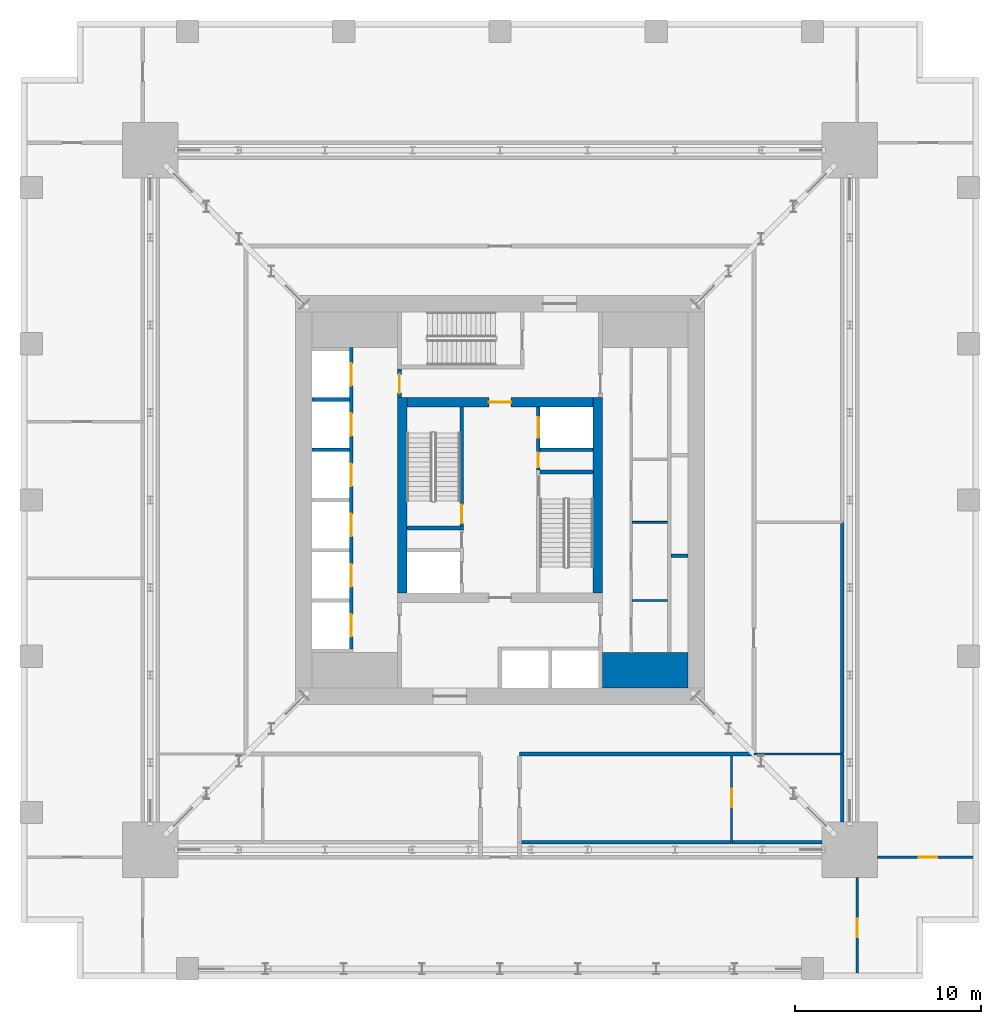
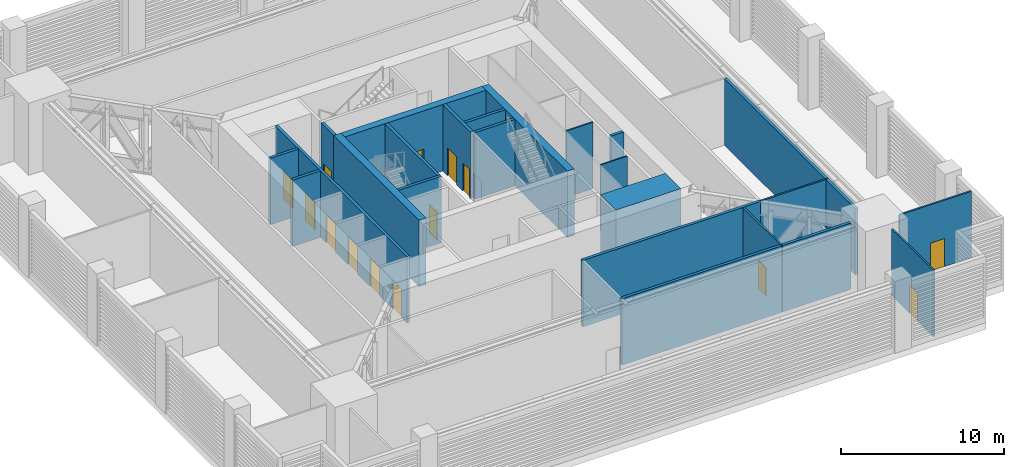
# One storey, part 10 of 17: 25 walls, 14 doors, 14 openings.
"""IFC4 building model written with IfcOpenShell, lengths in metres."""

from ifc_helpers import new_model, si_unit, direction, frame, frame_2d, origin, place, context, subcontext, project, spatial, rectangle, extrude, material, layer, layer_set, type_object, element, fill, save


model = new_model("IFC4")

# Units and contexts
model_context = context("Model", 3, precision=1e-05, world=origin(), true_north=direction((0.0, 1.0)))
body_context = subcontext(model_context, "Body", "Model", "MODEL_VIEW")
ifc_project = project(units=[si_unit("LENGTHUNIT", "METRE"), si_unit("AREAUNIT", "SQUARE_METRE"), si_unit("VOLUMEUNIT", "CUBIC_METRE"), si_unit("PLANEANGLEUNIT", "RADIAN"), si_unit("MASSUNIT", "GRAM", prefix="KILO")], contexts=[model_context])

# Site, building, storey
site_placement = place(None, origin())
site = spatial("IfcSite", under=ifc_project, at=site_placement, CompositionType="ELEMENT")
building_placement = place(site_placement, origin())
building = spatial("IfcBuilding", under=site, at=building_placement, Name="Khepri Terraces", CompositionType="ELEMENT")
storey_placement = place(building_placement, frame((0.0, 0.0, 73.800048828125)))
storey = spatial("IfcBuildingStorey", under=building, at=storey_placement, Name="L17", CompositionType="ELEMENT", Elevation=73.800048828125)

# Walls
ifc_material_1 = material(Name="Concrete C80/95", Category="concrete")
ifc_layer_1 = layer(ifc_material_1, 1.89990234375, Name="Concrete C80/95", Category="concrete")
ifc_layer_set_1 = layer_set([ifc_layer_1], Name="Concrete C80/95")
wall_type_1 = type_object("IfcWallType", Name="Core wall 1900 C80/95", PredefinedType="SHEAR", material=ifc_layer_set_1)
wall_1_placement = place(storey_placement, frame((5.5, -9.14990234375, 0.0), z_axis=(0.0, 0.0, 1.0), x_axis=(1.0, 0.0, 0.0)))
element("IfcWall", 1, at=wall_1_placement, inside=storey, type_object=wall_type_1, Name="Core wall PR02 L17", PredefinedType="SHEAR", context=body_context, shape_type="SweptSolid", body=[
    extrude(rectangle(XDim=4.60009765625, YDim=1.89990234375, at=frame_2d((2.300048828125, 0.0))), origin(), (0.0, 0.0, 1.0), 4.97998046875),
])
ifc_layer_2 = layer(ifc_material_1, 0.199951171875, Name="Concrete C80/95", Category="concrete")
ifc_layer_set_2 = layer_set([ifc_layer_2], Name="Concrete C80/95")
wall_type_2 = type_object("IfcWallType", Name="Core wall 200 C80/95", PredefinedType="SHEAR", material=ifc_layer_set_2)
wall_2_placement = place(storey_placement, frame((-5.0, -1.5, 0.0), z_axis=(0.0, 0.0, 1.0), x_axis=(1.0, 0.0, 0.0)))
element("IfcWall", 2, at=wall_2_placement, inside=storey, type_object=wall_type_2, Name="Core wall ST02 L17", PredefinedType="SHEAR", context=body_context, shape_type="SweptSolid", body=[
    extrude(rectangle(XDim=3.050048828125, YDim=0.199951171875, at=frame_2d((1.52490234375, 0.0))), origin(), (0.0, 0.0, 1.0), 4.97998046875),
])

# Wall, opening, door
wall_3_placement = place(storey_placement, frame((-2.050048828125, -1.39990234375, 0.0), z_axis=(0.0, 0.0, 1.0), x_axis=(0.0, 1.0, 0.0)))
wall_3 = element("IfcWall", 3, at=wall_3_placement, inside=storey, type_object=wall_type_2, Name="Core wall ST03 L17", PredefinedType="SHEAR", context=body_context, shape_type="SweptSolid", body=[
    extrude(rectangle(XDim=6.39990234375, YDim=0.199951171875, at=frame_2d((3.199951171875, 0.0))), origin(), (0.0, 0.0, 1.0), 4.97998046875),
])
opening_1_placement = place(wall_3_placement, frame((0.14990234375, 0.0, 0.0)))
opening_1 = element("IfcOpeningElement", 4, at=opening_1_placement, cuts=wall_3, Name="Opening L17-C09", PredefinedType="OPENING", context=body_context, shape_type="SweptSolid", body=[
    extrude(rectangle(XDim=1.0, YDim=2.10009765625, at=frame_2d((0.5, 1.050048828125))), frame((0.0, 0.10986328125, 0.0), z_axis=(0.0, -1.0, 0.0), x_axis=(1.0, 0.0, 0.0)), (0.0, 0.0, 1.0), 0.219970703125),
])
ifc_material_2 = material(Name="Painted steel", Category="steel")
door_type_1 = type_object("IfcDoorType", Name="DR-CORE-STAIR-1000", OperationType="NOTDEFINED", PredefinedType="DOOR", material=ifc_material_2)
door_1_placement = place(opening_1_placement, origin())
door_1 = element("IfcDoor", 5, at=door_1_placement, inside=storey, type_object=door_type_1, Name="Stair door L17-C09", OperationType="SINGLE_SWING_LEFT", OverallHeight=2.10009765625, OverallWidth=1.0, PredefinedType="DOOR", context=body_context, shape_type="SweptSolid", body=[
    extrude(rectangle(XDim=1.0, YDim=2.10009765625, at=frame_2d((0.5, 1.050048828125))), frame((0.0, 0.02490234375, 0.0), z_axis=(0.0, -1.0, 0.0), x_axis=(1.0, 0.0, 0.0)), (0.0, 0.0, 1.0), 0.050048828125),
])
fill(opening_1, door_1)

# Wall
wall_4_placement = place(storey_placement, frame((2.14990234375, 1.5, 0.0), z_axis=(0.0, 0.0, 1.0), x_axis=(1.0, 0.0, 0.0)))
element("IfcWall", 6, at=wall_4_placement, inside=storey, type_object=wall_type_2, Name="Core wall ST04 L17", PredefinedType="SHEAR", context=body_context, shape_type="SweptSolid", body=[
    extrude(rectangle(XDim=2.85009765625, YDim=0.199951171875, at=frame_2d((1.425048828125, 0.0))), origin(), (0.0, 0.0, 1.0), 4.97998046875),
])

# Wall, openings, doors
wall_5_placement = place(storey_placement, frame((-8.0, -8.0, 0.0), z_axis=(0.0, 0.0, 1.0), x_axis=(0.0, 1.0, 0.0)))
wall_5 = element("IfcWall", 7, at=wall_5_placement, inside=storey, type_object=wall_type_2, Name="Core wall SH08 L17", PredefinedType="SHEAR", context=body_context, shape_type="SweptSolid", body=[
    extrude(rectangle(XDim=16.199951171875, YDim=0.199951171875, at=frame_2d((8.10009765625, 0.0))), origin(), (0.0, 0.0, 1.0), 4.97998046875),
])
opening_2_placement = place(wall_5_placement, frame((0.64990234375, 0.0, 0.0)))
opening_2 = element("IfcOpeningElement", 8, at=opening_2_placement, cuts=wall_5, Name="Opening L17-C01", PredefinedType="OPENING", context=body_context, shape_type="SweptSolid", body=[
    extrude(rectangle(XDim=1.199951171875, YDim=2.10009765625, at=frame_2d((0.60009765625, 1.050048828125))), frame((0.0, 0.10986328125, 0.0), z_axis=(0.0, -1.0, 0.0), x_axis=(1.0, 0.0, 0.0)), (0.0, 0.0, 1.0), 0.219970703125),
])
opening_3_placement = place(wall_5_placement, frame((3.35009765625, 0.0, 0.0)))
opening_3 = element("IfcOpeningElement", 9, at=opening_3_placement, cuts=wall_5, Name="Opening L17-C02", PredefinedType="OPENING", context=body_context, shape_type="SweptSolid", body=[
    extrude(rectangle(XDim=1.199951171875, YDim=2.10009765625, at=frame_2d((0.60009765625, 1.050048828125))), frame((0.0, 0.10986328125, 0.0), z_axis=(0.0, -1.0, 0.0), x_axis=(1.0, 0.0, 0.0)), (0.0, 0.0, 1.0), 0.219970703125),
])
opening_4_placement = place(wall_5_placement, frame((6.050048828125, 0.0, 0.0)))
opening_4 = element("IfcOpeningElement", 10, at=opening_4_placement, cuts=wall_5, Name="Opening L17-C03", PredefinedType="OPENING", context=body_context, shape_type="SweptSolid", body=[
    extrude(rectangle(XDim=1.199951171875, YDim=2.10009765625, at=frame_2d((0.60009765625, 1.050048828125))), frame((0.0, 0.10986328125, 0.0), z_axis=(0.0, -1.0, 0.0), x_axis=(1.0, 0.0, 0.0)), (0.0, 0.0, 1.0), 0.219970703125),
])
opening_5_placement = place(wall_5_placement, frame((8.75, 0.0, 0.0)))
opening_5 = element("IfcOpeningElement", 11, at=opening_5_placement, cuts=wall_5, Name="Opening L17-C04", PredefinedType="OPENING", context=body_context, shape_type="SweptSolid", body=[
    extrude(rectangle(XDim=1.199951171875, YDim=2.10009765625, at=frame_2d((0.60009765625, 1.050048828125))), frame((0.0, 0.10986328125, 0.0), z_axis=(0.0, -1.0, 0.0), x_axis=(1.0, 0.0, 0.0)), (0.0, 0.0, 1.0), 0.219970703125),
])
opening_6_placement = place(wall_5_placement, frame((11.449951171875, 0.0, 0.0)))
opening_6 = element("IfcOpeningElement", 12, at=opening_6_placement, cuts=wall_5, Name="Opening L17-C05", PredefinedType="OPENING", context=body_context, shape_type="SweptSolid", body=[
    extrude(rectangle(XDim=1.199951171875, YDim=2.10009765625, at=frame_2d((0.60009765625, 1.050048828125))), frame((0.0, 0.10986328125, 0.0), z_axis=(0.0, -1.0, 0.0), x_axis=(1.0, 0.0, 0.0)), (0.0, 0.0, 1.0), 0.219970703125),
])
opening_7_placement = place(wall_5_placement, frame((14.14990234375, 0.0, 0.0)))
opening_7 = element("IfcOpeningElement", 13, at=opening_7_placement, cuts=wall_5, Name="Opening L17-C06", PredefinedType="OPENING", context=body_context, shape_type="SweptSolid", body=[
    extrude(rectangle(XDim=1.199951171875, YDim=2.10009765625, at=frame_2d((0.60009765625, 1.050048828125))), frame((0.0, 0.10986328125, 0.0), z_axis=(0.0, -1.0, 0.0), x_axis=(1.0, 0.0, 0.0)), (0.0, 0.0, 1.0), 0.219970703125),
])
ifc_material_3 = material(Name="Stainless steel 304", Category="steel")
door_type_2 = type_object("IfcDoorType", Name="DR-CORE-LANDING-1200", OperationType="NOTDEFINED", PredefinedType="DOOR", material=ifc_material_3)
door_2_placement = place(opening_2_placement, origin())
door_2 = element("IfcDoor", 14, at=door_2_placement, inside=storey, type_object=door_type_2, Name="Lift landing door L17-C01", OperationType="SLIDING_TO_LEFT", OverallHeight=2.10009765625, OverallWidth=1.199951171875, PredefinedType="DOOR", context=body_context, shape_type="SweptSolid", body=[
    extrude(rectangle(XDim=1.199951171875, YDim=2.10009765625, at=frame_2d((0.60009765625, 1.050048828125))), frame((0.0, 0.02490234375, 0.0), z_axis=(0.0, -1.0, 0.0), x_axis=(1.0, 0.0, 0.0)), (0.0, 0.0, 1.0), 0.050048828125),
])
fill(opening_2, door_2)
door_3_placement = place(opening_3_placement, origin())
door_3 = element("IfcDoor", 15, at=door_3_placement, inside=storey, type_object=door_type_2, Name="Lift landing door L17-C02", OperationType="SLIDING_TO_LEFT", OverallHeight=2.10009765625, OverallWidth=1.199951171875, PredefinedType="DOOR", context=body_context, shape_type="SweptSolid", body=[
    extrude(rectangle(XDim=1.199951171875, YDim=2.10009765625, at=frame_2d((0.60009765625, 1.050048828125))), frame((0.0, 0.02490234375, 0.0), z_axis=(0.0, -1.0, 0.0), x_axis=(1.0, 0.0, 0.0)), (0.0, 0.0, 1.0), 0.050048828125),
])
fill(opening_3, door_3)
door_4_placement = place(opening_4_placement, origin())
door_4 = element("IfcDoor", 16, at=door_4_placement, inside=storey, type_object=door_type_2, Name="Lift landing door L17-C03", OperationType="SLIDING_TO_LEFT", OverallHeight=2.10009765625, OverallWidth=1.199951171875, PredefinedType="DOOR", context=body_context, shape_type="SweptSolid", body=[
    extrude(rectangle(XDim=1.199951171875, YDim=2.10009765625, at=frame_2d((0.60009765625, 1.050048828125))), frame((0.0, 0.02490234375, 0.0), z_axis=(0.0, -1.0, 0.0), x_axis=(1.0, 0.0, 0.0)), (0.0, 0.0, 1.0), 0.050048828125),
])
fill(opening_4, door_4)
door_5_placement = place(opening_5_placement, origin())
door_5 = element("IfcDoor", 17, at=door_5_placement, inside=storey, type_object=door_type_2, Name="Lift landing door L17-C04", OperationType="SLIDING_TO_LEFT", OverallHeight=2.10009765625, OverallWidth=1.199951171875, PredefinedType="DOOR", context=body_context, shape_type="SweptSolid", body=[
    extrude(rectangle(XDim=1.199951171875, YDim=2.10009765625, at=frame_2d((0.60009765625, 1.050048828125))), frame((0.0, 0.02490234375, 0.0), z_axis=(0.0, -1.0, 0.0), x_axis=(1.0, 0.0, 0.0)), (0.0, 0.0, 1.0), 0.050048828125),
])
fill(opening_5, door_5)
door_6_placement = place(opening_6_placement, origin())
door_6 = element("IfcDoor", 18, at=door_6_placement, inside=storey, type_object=door_type_2, Name="Lift landing door L17-C05", OperationType="SLIDING_TO_LEFT", OverallHeight=2.10009765625, OverallWidth=1.199951171875, PredefinedType="DOOR", context=body_context, shape_type="SweptSolid", body=[
    extrude(rectangle(XDim=1.199951171875, YDim=2.10009765625, at=frame_2d((0.60009765625, 1.050048828125))), frame((0.0, 0.02490234375, 0.0), z_axis=(0.0, -1.0, 0.0), x_axis=(1.0, 0.0, 0.0)), (0.0, 0.0, 1.0), 0.050048828125),
])
fill(opening_6, door_6)
door_7_placement = place(opening_7_placement, origin())
door_7 = element("IfcDoor", 19, at=door_7_placement, inside=storey, type_object=door_type_2, Name="Lift landing door L17-C06", OperationType="SLIDING_TO_LEFT", OverallHeight=2.10009765625, OverallWidth=1.199951171875, PredefinedType="DOOR", context=body_context, shape_type="SweptSolid", body=[
    extrude(rectangle(XDim=1.199951171875, YDim=2.10009765625, at=frame_2d((0.60009765625, 1.050048828125))), frame((0.0, 0.02490234375, 0.0), z_axis=(0.0, -1.0, 0.0), x_axis=(1.0, 0.0, 0.0)), (0.0, 0.0, 1.0), 0.050048828125),
])
fill(opening_7, door_7)

# Wall
wall_6_placement = place(storey_placement, frame((9.199951171875, -3.0, 0.0), z_axis=(0.0, 0.0, 1.0), x_axis=(1.0, 0.0, 0.0)))
element("IfcWall", 20, at=wall_6_placement, inside=storey, type_object=wall_type_2, Name="Core wall SH11 L17", PredefinedType="SHEAR", context=body_context, shape_type="SweptSolid", body=[
    extrude(rectangle(XDim=0.900146484375, YDim=0.199951171875, at=frame_2d((0.4501953125, 0.0))), origin(), (0.0, 0.0, 1.0), 4.97998046875),
])

# Wall, openings, doors
wall_7_placement = place(storey_placement, frame((2.050048828125, 1.60009765625, 0.0), z_axis=(0.0, 0.0, 1.0), x_axis=(0.0, 1.0, 0.0)))
wall_7 = element("IfcWall", 21, at=wall_7_placement, inside=storey, type_object=wall_type_2, Name="Core wall SH15 L17", PredefinedType="SHEAR", context=body_context, shape_type="SweptSolid", body=[
    extrude(rectangle(XDim=3.39990234375, YDim=0.199951171875, at=frame_2d((1.699951171875, 0.0))), origin(), (0.0, 0.0, 1.0), 4.97998046875),
])
opening_8_placement = place(wall_7_placement, frame((1.75, 0.0, 0.0)))
opening_8 = element("IfcOpeningElement", 22, at=opening_8_placement, cuts=wall_7, Name="Opening L17-C07", PredefinedType="OPENING", context=body_context, shape_type="SweptSolid", body=[
    extrude(rectangle(XDim=1.10009765625, YDim=2.10009765625, at=frame_2d((0.550048828125, 1.050048828125))), frame((0.0, 0.10986328125, 0.0), z_axis=(0.0, -1.0, 0.0), x_axis=(1.0, 0.0, 0.0)), (0.0, 0.0, 1.0), 0.219970703125),
])
opening_9_placement = place(wall_7_placement, frame((0.14990234375, 0.0, 0.0)))
opening_9 = element("IfcOpeningElement", 23, at=opening_9_placement, cuts=wall_7, Name="Opening L17-C11", PredefinedType="OPENING", context=body_context, shape_type="SweptSolid", body=[
    extrude(rectangle(XDim=0.800048828125, YDim=2.10009765625, at=frame_2d((0.39990234375, 1.050048828125))), frame((0.0, 0.10986328125, 0.0), z_axis=(0.0, -1.0, 0.0), x_axis=(1.0, 0.0, 0.0)), (0.0, 0.0, 1.0), 0.219970703125),
])
door_type_3 = type_object("IfcDoorType", Name="DR-CORE-FF-LANDING-1100", OperationType="NOTDEFINED", PredefinedType="DOOR", material=ifc_material_3)
door_8_placement = place(opening_8_placement, origin())
door_8 = element("IfcDoor", 24, at=door_8_placement, inside=storey, type_object=door_type_3, Name="Firefighting lift landing door L17-C07", OperationType="SLIDING_TO_LEFT", OverallHeight=2.10009765625, OverallWidth=1.10009765625, PredefinedType="DOOR", context=body_context, shape_type="SweptSolid", body=[
    extrude(rectangle(XDim=1.10009765625, YDim=2.10009765625, at=frame_2d((0.550048828125, 1.050048828125))), frame((0.0, 0.02490234375, 0.0), z_axis=(0.0, -1.0, 0.0), x_axis=(1.0, 0.0, 0.0)), (0.0, 0.0, 1.0), 0.050048828125),
])
fill(opening_8, door_8)
door_type_4 = type_object("IfcDoorType", Name="DR-CORE-RISER-800", OperationType="NOTDEFINED", PredefinedType="DOOR", material=ifc_material_2)
door_9_placement = place(opening_9_placement, frame((0.800048828125, 0.0, 0.0), z_axis=(0.0, 0.0, 1.0), x_axis=(-1.0, 0.0, 0.0)))
door_9 = element("IfcDoor", 25, at=door_9_placement, inside=storey, type_object=door_type_4, Name="Riser door L17-C11", OperationType="SINGLE_SWING_RIGHT", OverallHeight=2.10009765625, OverallWidth=0.800048828125, PredefinedType="DOOR", context=body_context, shape_type="SweptSolid", body=[
    extrude(rectangle(XDim=0.800048828125, YDim=2.10009765625, at=frame_2d((0.39990234375, 1.050048828125))), frame((0.0, 0.02490234375, 0.0), z_axis=(0.0, -1.0, 0.0), x_axis=(1.0, 0.0, 0.0)), (0.0, 0.0, 1.0), 0.050048828125),
])
fill(opening_9, door_9)

# Walls
wall_8_placement = place(storey_placement, frame((-10.10009765625, 2.699951171875, 0.0), z_axis=(0.0, 0.0, 1.0), x_axis=(1.0, 0.0, 0.0)))
element("IfcWall", 26, at=wall_8_placement, inside=storey, type_object=wall_type_2, Name="Core wall SH17 L17", PredefinedType="SHEAR", context=body_context, shape_type="SweptSolid", body=[
    extrude(rectangle(XDim=2.0, YDim=0.199951171875, at=frame_2d((1.0, 0.0))), origin(), (0.0, 0.0, 1.0), 4.97998046875),
])
wall_9_placement = place(storey_placement, frame((2.14990234375, 2.699951171875, 0.0), z_axis=(0.0, 0.0, 1.0), x_axis=(1.0, 0.0, 0.0)))
element("IfcWall", 27, at=wall_9_placement, inside=storey, type_object=wall_type_2, Name="Core wall SH18 L17", PredefinedType="SHEAR", context=body_context, shape_type="SweptSolid", body=[
    extrude(rectangle(XDim=2.85009765625, YDim=0.199951171875, at=frame_2d((1.425048828125, 0.0))), origin(), (0.0, 0.0, 1.0), 4.97998046875),
])
wall_10_placement = place(storey_placement, frame((-10.10009765625, 5.39990234375, 0.0), z_axis=(0.0, 0.0, 1.0), x_axis=(1.0, 0.0, 0.0)))
element("IfcWall", 28, at=wall_10_placement, inside=storey, type_object=wall_type_2, Name="Core wall SH19 L17", PredefinedType="SHEAR", context=body_context, shape_type="SweptSolid", body=[
    extrude(rectangle(XDim=2.0, YDim=0.199951171875, at=frame_2d((1.0, 0.0))), origin(), (0.0, 0.0, 1.0), 4.97998046875),
])
ifc_layer_3 = layer(ifc_material_1, 0.5, Name="Concrete C80/95", Category="concrete")
ifc_layer_set_3 = layer_set([ifc_layer_3], Name="Concrete C80/95")
wall_type_3 = type_object("IfcWallType", Name="Core wall 500 C80/95", PredefinedType="SHEAR", material=ifc_layer_set_3)
for number, where, z_axis, x_axis, name in (
    (29, (-5.25, -5.0, 0.0), (0.0, 0.0, 1.0), (0.0, 1.0, 0.0), "Core wall BX02 L17"),
    (30, (5.25, -5.0, 0.0), (0.0, 0.0, 1.0), (0.0, 1.0, 0.0), "Core wall BX03 L17"),
):
    element("IfcWall", number, at=place(storey_placement, frame(where, z_axis=z_axis, x_axis=x_axis)), inside=storey, type_object=wall_type_3, Name=name, PredefinedType="SHEAR", context=body_context, shape_type="SweptSolid", body=[
        extrude(rectangle(XDim=10.5, YDim=0.5, at=frame_2d((5.25, 0.0))), origin(), (0.0, 0.0, 1.0), 4.97998046875),
    ])

# Wall, opening, door
wall_11_placement = place(storey_placement, frame((-5.0, 5.25, 0.0), z_axis=(0.0, 0.0, 1.0), x_axis=(1.0, 0.0, 0.0)))
wall_11 = element("IfcWall", 31, at=wall_11_placement, inside=storey, type_object=wall_type_3, Name="Core wall BX04 L17", PredefinedType="SHEAR", context=body_context, shape_type="SweptSolid", body=[
    extrude(rectangle(XDim=10.0, YDim=0.5, at=frame_2d((5.0, 0.0))), origin(), (0.0, 0.0, 1.0), 4.97998046875),
])
opening_10_placement = place(wall_11_placement, frame((4.39990234375, 0.0, 0.0)))
opening_10 = element("IfcOpeningElement", 32, at=opening_10_placement, cuts=wall_11, Name="Opening L17-C13", PredefinedType="OPENING", context=body_context, shape_type="SweptSolid", body=[
    extrude(rectangle(XDim=1.199951171875, YDim=2.10009765625, at=frame_2d((0.60009765625, 1.050048828125))), frame((0.0, 0.260009765625, 0.0), z_axis=(0.0, -1.0, 0.0), x_axis=(1.0, 0.0, 0.0)), (0.0, 0.0, 1.0), 0.52001953125),
])
door_type_5 = type_object("IfcDoorType", Name="DR-CORE-FF-LOBBY-1200", OperationType="NOTDEFINED", PredefinedType="DOOR", material=ifc_material_2)
door_10_placement = place(opening_10_placement, frame((1.199951171875, 0.0, 0.0), z_axis=(0.0, 0.0, 1.0), x_axis=(-1.0, 0.0, 0.0)))
door_10 = element("IfcDoor", 33, at=door_10_placement, inside=storey, type_object=door_type_5, Name="Firefighting lobby door L17-C13", OperationType="SINGLE_SWING_LEFT", OverallHeight=2.10009765625, OverallWidth=1.199951171875, PredefinedType="DOOR", context=body_context, shape_type="SweptSolid", body=[
    extrude(rectangle(XDim=1.199951171875, YDim=2.10009765625, at=frame_2d((0.60009765625, 1.050048828125))), frame((0.0, 0.02490234375, 0.0), z_axis=(0.0, -1.0, 0.0), x_axis=(1.0, 0.0, 0.0)), (0.0, 0.0, 1.0), 0.050048828125),
])
fill(opening_10, door_10)

# Walls
ifc_material_4 = material(Name="Fire-rated gypsum board partition")
ifc_layer_4 = layer(ifc_material_4, 0.10009765625, Name="Fire-rated gypsum board partition")
ifc_layer_set_4 = layer_set([ifc_layer_4], Name="Fire-rated gypsum board partition")
wall_type_4 = type_object("IfcWallType", Name="WL-CORE-PART-100", PredefinedType="PARTITIONING", material=ifc_layer_set_4)
for number, where, z_axis, x_axis, name in (
    (34, (7.10009765625, -5.39990234375, 0.0), (0.0, 0.0, 1.0), (1.0, 0.0, 0.0), "Core partition PT04 L17"),
    (35, (7.10009765625, -1.199951171875, 0.0), (0.0, 0.0, 1.0), (1.0, 0.0, 0.0), "Core partition PT05 L17"),
):
    element("IfcWall", number, at=place(storey_placement, frame(where, z_axis=z_axis, x_axis=x_axis)), inside=storey, type_object=wall_type_4, Name=name, PredefinedType="PARTITIONING", context=body_context, shape_type="SweptSolid", body=[
        extrude(rectangle(XDim=1.89990234375, YDim=0.10009765625, at=frame_2d((0.949951171875, 0.0))), origin(), (0.0, 0.0, 1.0), 4.97998046875),
    ])

# Wall, opening, door
ifc_layer_5 = layer(ifc_material_4, 0.199951171875, Name="Fire-rated gypsum board partition")
ifc_layer_set_5 = layer_set([ifc_layer_5], Name="Fire-rated gypsum board partition")
wall_type_5 = type_object("IfcWallType", Name="WL-CORE-PART-200", PredefinedType="PARTITIONING", material=ifc_layer_set_5)
wall_12_placement = place(storey_placement, frame((-5.39990234375, 5.5, 0.0), z_axis=(0.0, 0.0, 1.0), x_axis=(0.0, 1.0, 0.0)))
wall_12 = element("IfcWall", 36, at=wall_12_placement, inside=storey, type_object=wall_type_5, Name="Core partition PT07 L17", PredefinedType="PARTITIONING", context=body_context, shape_type="SweptSolid", body=[
    extrude(rectangle(XDim=1.550048828125, YDim=0.199951171875, at=frame_2d((0.77490234375, 0.0))), origin(), (0.0, 0.0, 1.0), 4.97998046875),
])
opening_11_placement = place(wall_12_placement, frame((0.25, 0.0, 0.0)))
opening_11 = element("IfcOpeningElement", 37, at=opening_11_placement, cuts=wall_12, Name="Opening L17-C16", PredefinedType="OPENING", context=body_context, shape_type="SweptSolid", body=[
    extrude(rectangle(XDim=1.0, YDim=2.10009765625, at=frame_2d((0.5, 1.050048828125))), frame((0.0, 0.10986328125, 0.0), z_axis=(0.0, -1.0, 0.0), x_axis=(1.0, 0.0, 0.0)), (0.0, 0.0, 1.0), 0.219970703125),
])
door_type_6 = type_object("IfcDoorType", Name="DR-CORE-LOBBY-1000", OperationType="NOTDEFINED", PredefinedType="DOOR", material=ifc_material_2)
door_11_placement = place(opening_11_placement, frame((1.0, 0.0, 0.0), z_axis=(0.0, 0.0, 1.0), x_axis=(-1.0, 0.0, 0.0)))
door_11 = element("IfcDoor", 38, at=door_11_placement, inside=storey, type_object=door_type_6, Name="Lobby door L17-C16", OperationType="SINGLE_SWING_RIGHT", OverallHeight=2.10009765625, OverallWidth=1.0, PredefinedType="DOOR", context=body_context, shape_type="SweptSolid", body=[
    extrude(rectangle(XDim=1.0, YDim=2.10009765625, at=frame_2d((0.5, 1.050048828125))), frame((0.0, 0.02490234375, 0.0), z_axis=(0.0, -1.0, 0.0), x_axis=(1.0, 0.0, 0.0)), (0.0, 0.0, 1.0), 0.050048828125),
])
fill(opening_11, door_11)

# Walls
ifc_material_5 = material(Name="Fire-rated gypsum plasterboard partition, mineral wool")
ifc_layer_6 = layer(ifc_material_5, 0.199951171875, Name="Fire-rated gypsum plasterboard partition, mineral wool")
ifc_layer_set_6 = layer_set([ifc_layer_6], Name="Fire-rated gypsum plasterboard partition, mineral wool")
wall_type_6 = type_object("IfcWallType", Name="WL-CORR-200", PredefinedType="PARTITIONING", material=ifc_layer_set_6)
wall_13_placement = place(storey_placement, frame((1.070068359375, -18.39990234375, 0.0), z_axis=(0.0, 0.0, 1.0), x_axis=(1.0, 0.0, 0.0)))
element("IfcWall", 39, at=wall_13_placement, inside=storey, type_object=wall_type_6, Name="Partition P-013 L17", PredefinedType="PARTITIONING", context=body_context, shape_type="SweptSolid", body=[
    extrude(rectangle(XDim=11.35986328125, YDim=0.199951171875, at=frame_2d((5.679931640625, 0.0))), origin(), (0.0, 0.0, 1.0), 4.97998046875),
])
wall_14_placement = place(storey_placement, frame((12.469970703125, -18.39990234375, 0.0), z_axis=(0.0, 0.0, 1.0), x_axis=(1.0, 0.0, 0.0)))
element("IfcWall", 40, at=wall_14_placement, inside=storey, type_object=wall_type_6, Name="Partition P-015 L17", PredefinedType="PARTITIONING", context=body_context, shape_type="SweptSolid", body=[
    extrude(rectangle(XDim=4.830078125, YDim=0.199951171875, at=frame_2d((2.4150390625, 0.0))), origin(), (0.0, 0.0, 1.0), 4.97998046875),
])
wall_15_placement = place(storey_placement, frame((18.39990234375, -17.300048828125, 0.0), z_axis=(0.0, 0.0, 1.0), x_axis=(0.0, 1.0, 0.0)))
element("IfcWall", 41, at=wall_15_placement, inside=storey, type_object=wall_type_6, Name="Partition P-018 L17", PredefinedType="PARTITIONING", context=body_context, shape_type="SweptSolid", body=[
    extrude(rectangle(XDim=3.630126953125, YDim=0.199951171875, at=frame_2d((1.81494140625, 0.0))), origin(), (0.0, 0.0, 1.0), 4.97998046875),
])
wall_16_placement = place(storey_placement, frame((1.050048828125, -13.64990234375, 0.0), z_axis=(0.0, 0.0, 1.0), x_axis=(1.0, 0.0, 0.0)))
element("IfcWall", 42, at=wall_16_placement, inside=storey, type_object=wall_type_6, Name="Partition P-022 L17", PredefinedType="PARTITIONING", context=body_context, shape_type="SweptSolid", body=[
    extrude(rectangle(XDim=12.599853515625, YDim=0.199951171875, at=frame_2d((6.2998046875, 0.0))), origin(), (0.0, 0.0, 1.0), 4.97998046875),
])
wall_17_placement = place(storey_placement, frame((18.39990234375, -13.6298828125, 0.0), z_axis=(0.0, 0.0, 1.0), x_axis=(0.0, 1.0, 0.0)))
element("IfcWall", 43, at=wall_17_placement, inside=storey, type_object=wall_type_6, Name="Partition P-025 L17", PredefinedType="PARTITIONING", context=body_context, shape_type="SweptSolid", body=[
    extrude(rectangle(XDim=12.409912109375, YDim=0.199951171875, at=frame_2d((6.205078125, 0.0))), origin(), (0.0, 0.0, 1.0), 4.97998046875),
])

# Wall, opening, door
ifc_material_6 = material(Name="Gypsum plasterboard partition")
ifc_layer_7 = layer(ifc_material_6, 0.1201171875, Name="Gypsum plasterboard partition")
ifc_layer_set_7 = layer_set([ifc_layer_7], Name="Gypsum plasterboard partition")
wall_type_7 = type_object("IfcWallType", Name="WL-PART-120", PredefinedType="PARTITIONING", material=ifc_layer_set_7)
wall_18_placement = place(storey_placement, frame((19.199951171875, -25.419921875, 0.0), z_axis=(0.0, 0.0, 1.0), x_axis=(0.0, 1.0, 0.0)))
wall_18 = element("IfcWall", 44, at=wall_18_placement, inside=storey, type_object=wall_type_7, Name="Partition P-002 L17", PredefinedType="PARTITIONING", context=body_context, shape_type="SweptSolid", body=[
    extrude(rectangle(XDim=5.119873046875, YDim=0.1201171875, at=frame_2d((2.56005859375, 0.0))), origin(), (0.0, 0.0, 1.0), 4.97998046875),
])
opening_12_placement = place(wall_18_placement, frame((1.909912109375, 0.0, 0.0)))
opening_12 = element("IfcOpeningElement", 45, at=opening_12_placement, cuts=wall_18, Name="Opening D2", PredefinedType="OPENING", context=body_context, shape_type="SweptSolid", body=[
    extrude(rectangle(XDim=1.0, YDim=2.10009765625, at=frame_2d((0.5, 1.050048828125))), frame((0.0, 0.070068359375, 0.0), z_axis=(0.0, -1.0, 0.0), x_axis=(1.0, 0.0, 0.0)), (0.0, 0.0, 1.0), 0.14013671875),
])
ifc_material_7 = material(Name="Timber door leaf, living room door", Category="wood")
door_type_7 = type_object("IfcDoorType", Name="DR-INT-1000", OperationType="NOTDEFINED", PredefinedType="DOOR", material=ifc_material_7)
door_12_placement = place(opening_12_placement, frame((1.0, 0.0, 0.0), z_axis=(0.0, 0.0, 1.0), x_axis=(-1.0, 0.0, 0.0)))
door_12 = element("IfcDoor", 46, at=door_12_placement, inside=storey, type_object=door_type_7, Name="Door Primary Pump Room", OperationType="SINGLE_SWING_RIGHT", OverallHeight=2.10009765625, OverallWidth=1.0, PredefinedType="DOOR", context=body_context, shape_type="SweptSolid", body=[
    extrude(rectangle(XDim=1.0, YDim=2.10009765625, at=frame_2d((0.5, 1.050048828125))), frame((0.0, 0.02490234375, 0.0), z_axis=(0.0, -1.0, 0.0), x_axis=(1.0, 0.0, 0.0)), (0.0, 0.0, 1.0), 0.050048828125),
])
fill(opening_12, door_12)

wall_19_placement = place(storey_placement, frame((20.300048828125, -19.199951171875, 0.0), z_axis=(0.0, 0.0, 1.0), x_axis=(1.0, 0.0, 0.0)))
wall_19 = element("IfcWall", 47, at=wall_19_placement, inside=storey, type_object=wall_type_7, Name="Partition P-005 L17", PredefinedType="PARTITIONING", context=body_context, shape_type="SweptSolid", body=[
    extrude(rectangle(XDim=5.119873046875, YDim=0.1201171875, at=frame_2d((2.56005859375, 0.0))), origin(), (0.0, 0.0, 1.0), 4.97998046875),
])
opening_13_placement = place(wall_19_placement, frame((2.2099609375, 0.0, 0.0)))
opening_13 = element("IfcOpeningElement", 48, at=opening_13_placement, cuts=wall_19, Name="Opening D2", PredefinedType="OPENING", context=body_context, shape_type="SweptSolid", body=[
    extrude(rectangle(XDim=1.0, YDim=2.10009765625, at=frame_2d((0.5, 1.050048828125))), frame((0.0, 0.070068359375, 0.0), z_axis=(0.0, -1.0, 0.0), x_axis=(1.0, 0.0, 0.0)), (0.0, 0.0, 1.0), 0.14013671875),
])
door_13_placement = place(opening_13_placement, origin())
door_13 = element("IfcDoor", 49, at=door_13_placement, inside=storey, type_object=door_type_7, Name="Door Air Handling Plant Hall", OperationType="SINGLE_SWING_RIGHT", OverallHeight=2.10009765625, OverallWidth=1.0, PredefinedType="DOOR", context=body_context, shape_type="SweptSolid", body=[
    extrude(rectangle(XDim=1.0, YDim=2.10009765625, at=frame_2d((0.5, 1.050048828125))), frame((0.0, 0.02490234375, 0.0), z_axis=(0.0, -1.0, 0.0), x_axis=(1.0, 0.0, 0.0)), (0.0, 0.0, 1.0), 0.050048828125),
])
fill(opening_13, door_13)

wall_20_placement = place(storey_placement, frame((12.449951171875, -18.39990234375, 0.0), z_axis=(0.0, 0.0, 1.0), x_axis=(0.0, 1.0, 0.0)))
wall_20 = element("IfcWall", 50, at=wall_20_placement, inside=storey, type_object=wall_type_7, Name="Partition P-014 L17", PredefinedType="PARTITIONING", context=body_context, shape_type="SweptSolid", body=[
    extrude(rectangle(XDim=4.64990234375, YDim=0.1201171875, at=frame_2d((2.324951171875, 0.0))), origin(), (0.0, 0.0, 1.0), 4.97998046875),
])
opening_14_placement = place(wall_20_placement, frame((1.875, 0.0, 0.0)))
opening_14 = element("IfcOpeningElement", 51, at=opening_14_placement, cuts=wall_20, Name="Opening D2", PredefinedType="OPENING", context=body_context, shape_type="SweptSolid", body=[
    extrude(rectangle(XDim=1.0, YDim=2.10009765625, at=frame_2d((0.5, 1.050048828125))), frame((0.0, 0.070068359375, 0.0), z_axis=(0.0, -1.0, 0.0), x_axis=(1.0, 0.0, 0.0)), (0.0, 0.0, 1.0), 0.14013671875),
])
door_14_placement = place(opening_14_placement, frame((1.0, 0.0, 0.0), z_axis=(0.0, 0.0, 1.0), x_axis=(-1.0, 0.0, 0.0)))
door_14 = element("IfcDoor", 52, at=door_14_placement, inside=storey, type_object=door_type_7, Name="Door Electrical Switch Room", OperationType="SINGLE_SWING_LEFT", OverallHeight=2.10009765625, OverallWidth=1.0, PredefinedType="DOOR", context=body_context, shape_type="SweptSolid", body=[
    extrude(rectangle(XDim=1.0, YDim=2.10009765625, at=frame_2d((0.5, 1.050048828125))), frame((0.0, 0.02490234375, 0.0), z_axis=(0.0, -1.0, 0.0), x_axis=(1.0, 0.0, 0.0)), (0.0, 0.0, 1.0), 0.050048828125),
])
fill(opening_14, door_14)

# Wall
wall_21_placement = place(storey_placement, frame((13.64990234375, -13.64990234375, 0.0), z_axis=(0.0, 0.0, 1.0), x_axis=(1.0, 0.0, 0.0)))
element("IfcWall", 53, at=wall_21_placement, inside=storey, type_object=wall_type_7, Name="Partition P-023 L17", PredefinedType="PARTITIONING", context=body_context, shape_type="SweptSolid", body=[
    extrude(rectangle(XDim=4.75, YDim=0.1201171875, at=frame_2d((2.375, 0.0))), origin(), (0.0, 0.0, 1.0), 4.97998046875),
])

save(model, "model.ifc")
